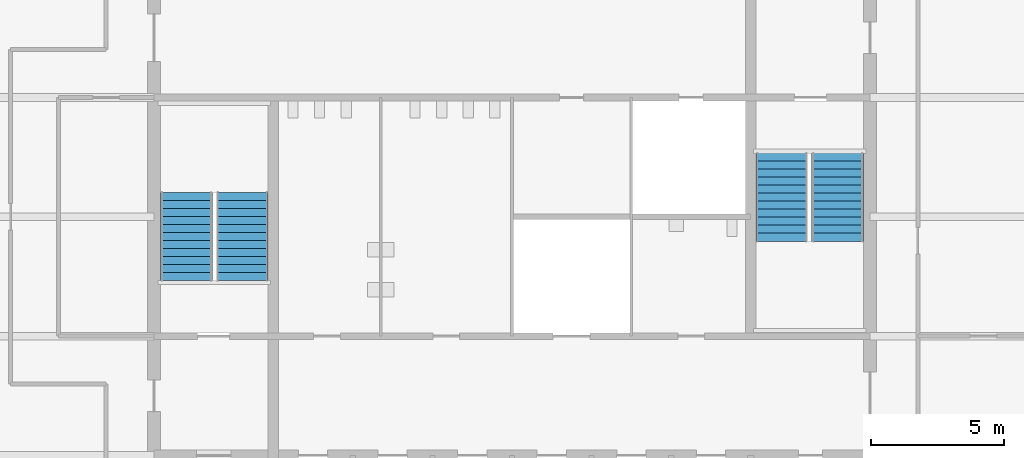
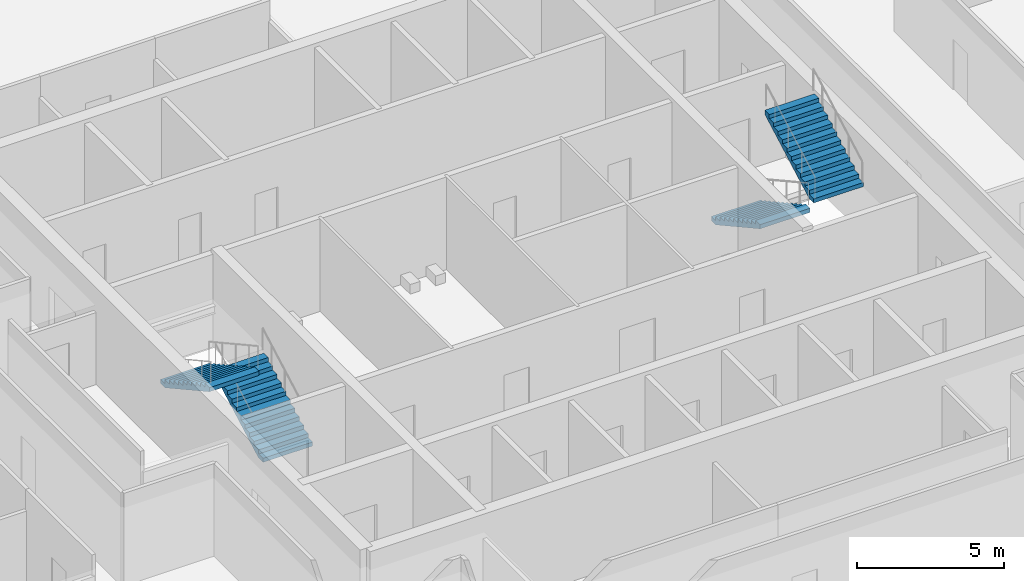
# One storey, part 11 of 13: 4 stair flights, 2 elements without a shape of their own.
"""IFC4 building model written with IfcOpenShell, lengths in metres."""

from ifc_helpers import new_model, si_unit, direction, frame, origin, place, context, subcontext, project, spatial, polyline, outline, extrude, material, type_object, element, aggregate, save


model = new_model("IFC4")

# Units and contexts
model_context = context("Model", 3, precision=1e-05, world=origin(), true_north=direction((0.0, 1.0)))
body_context = subcontext(model_context, "Body", "Model", "MODEL_VIEW")
ifc_project = project(units=[si_unit("LENGTHUNIT", "METRE"), si_unit("AREAUNIT", "SQUARE_METRE"), si_unit("VOLUMEUNIT", "CUBIC_METRE"), si_unit("PLANEANGLEUNIT", "RADIAN"), si_unit("MASSUNIT", "GRAM", prefix="KILO")], contexts=[model_context])

# Site, building, storey
site_placement = place(None, origin())
site = spatial("IfcSite", under=ifc_project, at=site_placement, CompositionType="ELEMENT")
building_placement = place(site_placement, origin())
building = spatial("IfcBuilding", under=site, at=building_placement, Name="Corais Broadcast Tower", CompositionType="ELEMENT")
storey_placement = place(building_placement, frame((0.0, 0.0, 151.60009765625)))
storey = spatial("IfcBuildingStorey", under=building, at=storey_placement, Name="L34", CompositionType="ELEMENT", Elevation=151.60009765625)

# Stair, stair flights
ifc_material_1 = material(Name="Concrete C30/37", Category="concrete")
stair_type = type_object("IfcStairType", Name="Half-turn stair 4000", PredefinedType="HALF_TURN_STAIR", material=ifc_material_1)
stair_1_placement = place(storey_placement, origin())
stair_1 = element("IfcStair", 1, at=stair_1_placement, inside=storey, type_object=stair_type, Name="Stair A L34", PredefinedType="HALF_TURN_STAIR")
ifc_material_2 = material(Name="Concrete C30/37", Category="concrete")
stair_flight_type = type_object("IfcStairFlightType", Name="Stair flight 4000", PredefinedType="STRAIGHT", material=ifc_material_2)
stair_flight_1_placement = place(storey_placement, frame((16.824951171875, 24.60009765625, 0.0), z_axis=(0.0, 0.0, 1.0), x_axis=(0.0, 1.0, 0.0)))
stair_flight_1 = element("IfcStairFlight", 2, at=stair_flight_1_placement, type_object=stair_flight_type, Name="STA flight 1", NumberOfRisers=12, NumberOfTreads=11, PredefinedType="STRAIGHT", RiserHeight=0.166666667, TreadLength=0.302, context=body_context, shape_type="SweptSolid", body=[
    extrude(outline(polyline([(0.0, 0.0), (0.0, 0.166748046875), (0.302001953125, 0.166748046875), (0.302001953125, 0.333251953125), (0.60400390625, 0.333251953125), (0.60400390625, 0.5), (0.906005859375, 0.5), (0.906005859375, 0.666748046875), (1.2080078125, 0.666748046875), (1.2080078125, 0.833251953125), (1.510009765625, 0.833251953125), (1.510009765625, 1.0), (1.81201171875, 1.0), (1.81201171875, 1.166748046875), (2.114013671875, 1.166748046875), (2.114013671875, 1.333251953125), (2.416015625, 1.333251953125), (2.416015625, 1.5), (2.718017578125, 1.5), (2.718017578125, 1.666748046875), (3.02001953125, 1.666748046875), (3.02001953125, 1.833251953125), (3.322021484375, 1.833251953125), (3.322021484375, 2.0), (3.322021484375, 1.662109375), (0.310302734375, 0.0), (0.0, 0.0)])), frame((0.0, 0.97509765625, 0.0), z_axis=(0.0, -1.0, 0.0), x_axis=(1.0, 0.0, 0.0)), (0.0, 0.0, 1.0), 1.949951171875),
])
stair_flight_2_placement = place(storey_placement, frame((14.72509765625, 27.922119140625, 2.0), z_axis=(0.0, 0.0, 1.0), x_axis=(0.0, -1.0, 0.0)))
stair_flight_2 = element("IfcStairFlight", 3, at=stair_flight_2_placement, type_object=stair_flight_type, Name="STA flight 2", NumberOfRisers=12, NumberOfTreads=11, PredefinedType="STRAIGHT", RiserHeight=0.166666667, TreadLength=0.302, context=body_context, shape_type="SweptSolid", body=[
    extrude(outline(polyline([(0.0, 0.0), (0.0, 0.166748046875), (0.302001953125, 0.166748046875), (0.302001953125, 0.333251953125), (0.60400390625, 0.333251953125), (0.60400390625, 0.5), (0.906005859375, 0.5), (0.906005859375, 0.666748046875), (1.2080078125, 0.666748046875), (1.2080078125, 0.833251953125), (1.510009765625, 0.833251953125), (1.510009765625, 1.0), (1.81201171875, 1.0), (1.81201171875, 1.166748046875), (2.114013671875, 1.166748046875), (2.114013671875, 1.333251953125), (2.416015625, 1.333251953125), (2.416015625, 1.5), (2.718017578125, 1.5), (2.718017578125, 1.666748046875), (3.02001953125, 1.666748046875), (3.02001953125, 1.833251953125), (3.322021484375, 1.833251953125), (3.322021484375, 2.0), (3.322021484375, 1.662109375), (0.310302734375, 0.0), (0.0, 0.0)])), frame((0.0, 0.97509765625, 0.0), z_axis=(0.0, -1.0, 0.0), x_axis=(1.0, 0.0, 0.0)), (0.0, 0.0, 1.0), 1.949951171875),
])
aggregate(stair_1, [stair_flight_1, stair_flight_2])

stair_2_placement = place(storey_placement, origin())
stair_2 = element("IfcStair", 4, at=stair_2_placement, inside=storey, type_object=stair_type, Name="Stair B L34", PredefinedType="HALF_TURN_STAIR")
stair_flight_3_placement = place(storey_placement, frame((37.175048828125, 29.39990234375, 0.0), z_axis=(0.0, 0.0, 1.0), x_axis=(0.0, -1.0, 0.0)))
stair_flight_3 = element("IfcStairFlight", 5, at=stair_flight_3_placement, type_object=stair_flight_type, Name="STB flight 1", NumberOfRisers=12, NumberOfTreads=11, PredefinedType="STRAIGHT", RiserHeight=0.166666667, TreadLength=0.302, context=body_context, shape_type="SweptSolid", body=[
    extrude(outline(polyline([(0.0, 0.0), (0.0, 0.166748046875), (0.302001953125, 0.166748046875), (0.302001953125, 0.333251953125), (0.60400390625, 0.333251953125), (0.60400390625, 0.5), (0.906005859375, 0.5), (0.906005859375, 0.666748046875), (1.2080078125, 0.666748046875), (1.2080078125, 0.833251953125), (1.510009765625, 0.833251953125), (1.510009765625, 1.0), (1.81201171875, 1.0), (1.81201171875, 1.166748046875), (2.114013671875, 1.166748046875), (2.114013671875, 1.333251953125), (2.416015625, 1.333251953125), (2.416015625, 1.5), (2.718017578125, 1.5), (2.718017578125, 1.666748046875), (3.02001953125, 1.666748046875), (3.02001953125, 1.833251953125), (3.322021484375, 1.833251953125), (3.322021484375, 2.0), (3.322021484375, 1.662109375), (0.310302734375, 0.0), (0.0, 0.0)])), frame((0.0, 0.97509765625, 0.0), z_axis=(0.0, -1.0, 0.0), x_axis=(1.0, 0.0, 0.0)), (0.0, 0.0, 1.0), 1.949951171875),
])
stair_flight_4_placement = place(storey_placement, frame((39.27490234375, 26.077880859375, 2.0), z_axis=(0.0, 0.0, 1.0), x_axis=(0.0, 1.0, 0.0)))
stair_flight_4 = element("IfcStairFlight", 6, at=stair_flight_4_placement, type_object=stair_flight_type, Name="STB flight 2", NumberOfRisers=12, NumberOfTreads=11, PredefinedType="STRAIGHT", RiserHeight=0.166666667, TreadLength=0.302, context=body_context, shape_type="SweptSolid", body=[
    extrude(outline(polyline([(0.0, 0.0), (0.0, 0.166748046875), (0.302001953125, 0.166748046875), (0.302001953125, 0.333251953125), (0.60400390625, 0.333251953125), (0.60400390625, 0.5), (0.906005859375, 0.5), (0.906005859375, 0.666748046875), (1.2080078125, 0.666748046875), (1.2080078125, 0.833251953125), (1.510009765625, 0.833251953125), (1.510009765625, 1.0), (1.81201171875, 1.0), (1.81201171875, 1.166748046875), (2.114013671875, 1.166748046875), (2.114013671875, 1.333251953125), (2.416015625, 1.333251953125), (2.416015625, 1.5), (2.718017578125, 1.5), (2.718017578125, 1.666748046875), (3.02001953125, 1.666748046875), (3.02001953125, 1.833251953125), (3.322021484375, 1.833251953125), (3.322021484375, 2.0), (3.322021484375, 1.662109375), (0.310302734375, 0.0), (0.0, 0.0)])), frame((0.0, 0.97509765625, 0.0), z_axis=(0.0, -1.0, 0.0), x_axis=(1.0, 0.0, 0.0)), (0.0, 0.0, 1.0), 1.949951171875),
])
aggregate(stair_2, [stair_flight_3, stair_flight_4])

save(model, "model.ifc")
